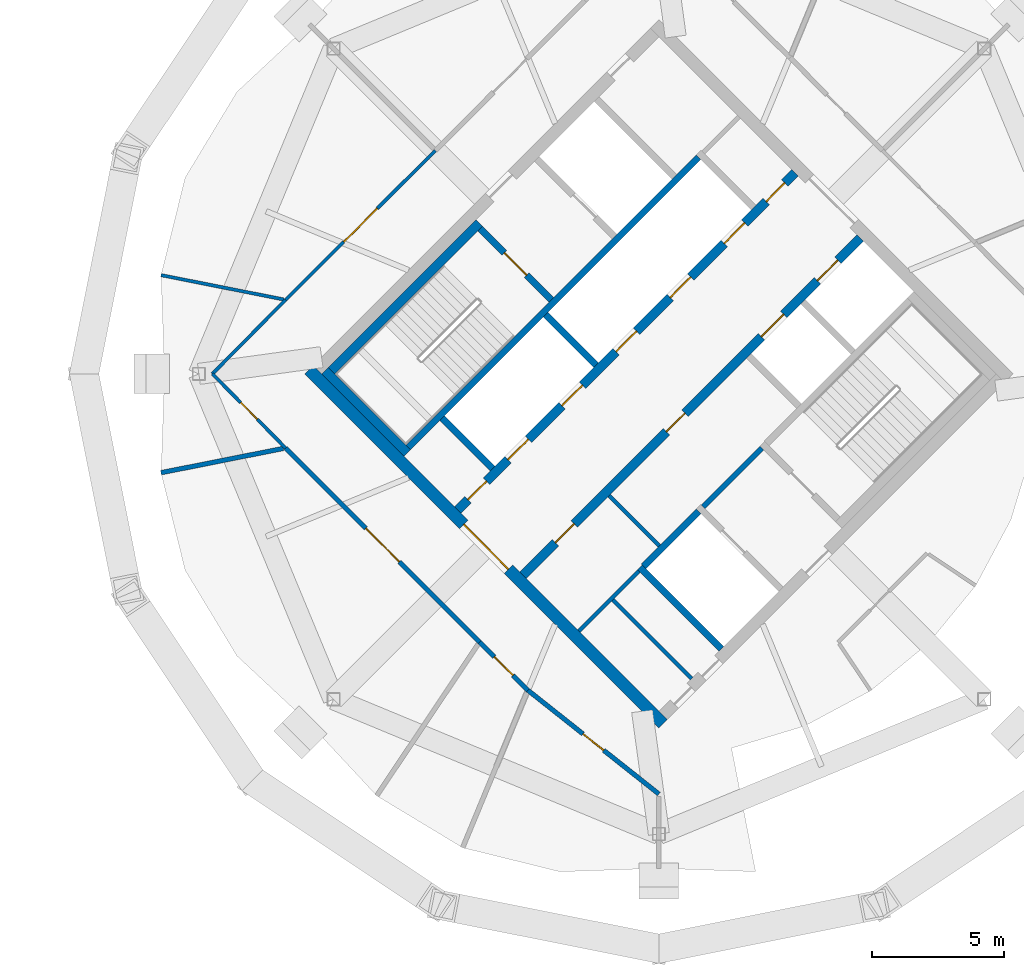
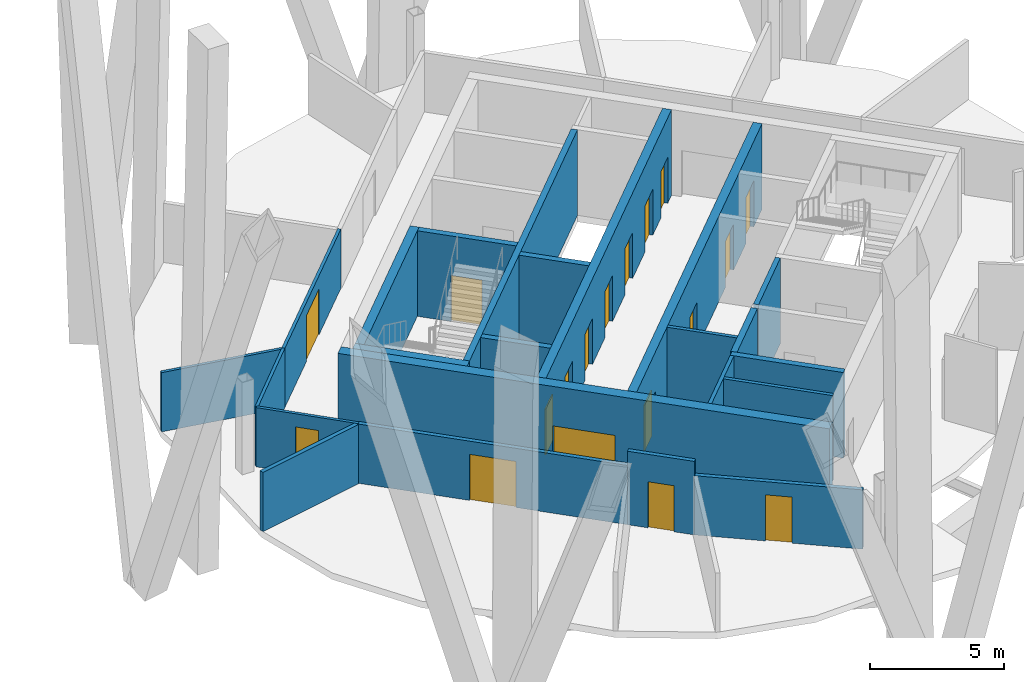
# One storey, part 7 of 11: 23 walls, 18 doors, 18 openings.
"""IFC4 building model written with IfcOpenShell, lengths in metres."""

from ifc_helpers import new_model, si_unit, direction, frame, frame_2d, origin, place, context, subcontext, project, spatial, rectangle, extrude, material, layer, layer_set, type_object, element, fill, save


model = new_model("IFC4")

# Units and contexts
model_context = context("Model", 3, precision=1e-05, world=origin(), true_north=direction((0.0, 1.0)))
body_context = subcontext(model_context, "Body", "Model", "MODEL_VIEW")
ifc_project = project(units=[si_unit("LENGTHUNIT", "METRE"), si_unit("AREAUNIT", "SQUARE_METRE"), si_unit("VOLUMEUNIT", "CUBIC_METRE"), si_unit("PLANEANGLEUNIT", "RADIAN"), si_unit("MASSUNIT", "GRAM", prefix="KILO")], contexts=[model_context])

# Site, building, storey
site_placement = place(None, origin())
site = spatial("IfcSite", under=ifc_project, at=site_placement, CompositionType="ELEMENT")
building_placement = place(site_placement, origin())
building = spatial("IfcBuilding", under=site, at=building_placement, Name="Ogive Gate Towers", CompositionType="ELEMENT")
storey_placement = place(building_placement, frame((0.0, 0.0, 273.0)))
storey = spatial("IfcBuildingStorey", under=building, at=storey_placement, Name="L64", CompositionType="ELEMENT", Elevation=273.0)

# Wall
ifc_material_1 = material(Name="Gypsum board acoustic partition")
ifc_layer_1 = layer(ifc_material_1, 0.175048828125)
ifc_layer_set_1 = layer_set([ifc_layer_1], Name="Acoustic partition 175")
wall_type_1 = type_object("IfcWallType", Name="Acoustic partition 175", PredefinedType="PARTITIONING", material=ifc_layer_set_1)
wall_1_placement = place(storey_placement, frame((17.10888671875, -3.748291015625, 0.0), z_axis=(0.0, 0.0, 1.0), x_axis=(0.980875271951, 0.194637357346, 0.0)))
element("IfcWall", 1, at=wall_1_placement, inside=storey, type_object=wall_type_1, Name="Partition T2-L64-007", PredefinedType="PARTITIONING", context=body_context, shape_type="SweptSolid", body=[
    extrude(rectangle(XDim=4.7314453125, YDim=0.175048828125, at=frame_2d((2.36572265625, 0.0))), origin(), (0.0, 0.0, 1.0), 2.699951171875),
])

# Wall, opening, door
wall_2_placement = place(storey_placement, frame((36.0, -15.940185546875, 0.0), z_axis=(0.0, 0.0, 1.0), x_axis=(-0.78387172436, 0.620922796932, 0.0)))
wall_2 = element("IfcWall", 2, at=wall_2_placement, inside=storey, type_object=wall_type_1, Name="Partition T2-L64-015", PredefinedType="PARTITIONING", context=body_context, shape_type="SweptSolid", body=[
    extrude(rectangle(XDim=6.342041015625, YDim=0.175048828125, at=frame_2d((3.1708984375, 0.0))), origin(), (0.0, 0.0, 1.0), 2.699951171875),
])
opening_1_placement = place(wall_2_placement, frame((2.6708984375, 0.0, 0.0)))
opening_1 = element("IfcOpeningElement", 3, at=opening_1_placement, cuts=wall_2, Name="Opening T2-L64-D02", PredefinedType="OPENING", context=body_context, shape_type="SweptSolid", body=[
    extrude(rectangle(XDim=1.0, YDim=2.10009765625, at=frame_2d((0.5, 1.050048828125))), frame((0.0, 0.09765625, 0.0), z_axis=(0.0, -1.0, 0.0), x_axis=(1.0, 0.0, 0.0)), (0.0, 0.0, 1.0), 0.195068359375),
])
ifc_material_2 = material(Name="Timber door", Category="wood")
door_type_1 = type_object("IfcDoorType", Name="Door 1000", OperationType="NOTDEFINED", PredefinedType="DOOR", material=ifc_material_2)
door_1_placement = place(opening_1_placement, origin())
door_1 = element("IfcDoor", 4, at=door_1_placement, inside=storey, type_object=door_type_1, Name="Door T2-L64-D02", OperationType="SINGLE_SWING_LEFT", OverallHeight=2.10009765625, OverallWidth=1.0, PredefinedType="DOOR", context=body_context, shape_type="SweptSolid", body=[
    extrude(rectangle(XDim=1.0, YDim=2.10009765625, at=frame_2d((0.5, 1.050048828125))), frame((0.0, 0.02490234375, 0.0), z_axis=(0.0, -1.0, 0.0), x_axis=(1.0, 0.0, 0.0)), (0.0, 0.0, 1.0), 0.050048828125),
])
fill(opening_1, door_1)

wall_3_placement = place(storey_placement, frame((31.028564453125, -12.002197265625, 0.0), z_axis=(0.0, 0.0, 1.0), x_axis=(-0.708284387202, 0.705927210727, 0.0)))
wall_3 = element("IfcWall", 5, at=wall_3_placement, inside=storey, type_object=wall_type_1, Name="Partition T2-L64-016", PredefinedType="PARTITIONING", context=body_context, shape_type="SweptSolid", body=[
    extrude(rectangle(XDim=2.58935546875, YDim=0.175048828125, at=frame_2d((1.294677734375, 0.0))), origin(), (0.0, 0.0, 1.0), 3.35009765625),
])
opening_2_placement = place(wall_3_placement, frame((0.794921875, 0.0, 0.0)))
opening_2 = element("IfcOpeningElement", 6, at=opening_2_placement, cuts=wall_3, Name="Opening T2-L64-D03", PredefinedType="OPENING", context=body_context, shape_type="SweptSolid", body=[
    extrude(rectangle(XDim=1.0, YDim=2.10009765625, at=frame_2d((0.5, 1.050048828125))), frame((0.0, 0.09765625, 0.0), z_axis=(0.0, -1.0, 0.0), x_axis=(1.0, 0.0, 0.0)), (0.0, 0.0, 1.0), 0.195068359375),
])
door_2_placement = place(opening_2_placement, origin())
door_2 = element("IfcDoor", 7, at=door_2_placement, inside=storey, type_object=door_type_1, Name="Door T2-L64-D03", OperationType="SINGLE_SWING_RIGHT", OverallHeight=2.10009765625, OverallWidth=1.0, PredefinedType="DOOR", context=body_context, shape_type="SweptSolid", body=[
    extrude(rectangle(XDim=1.0, YDim=2.10009765625, at=frame_2d((0.5, 1.050048828125))), frame((0.0, 0.02490234375, 0.0), z_axis=(0.0, -1.0, 0.0), x_axis=(1.0, 0.0, 0.0)), (0.0, 0.0, 1.0), 0.050048828125),
])
fill(opening_2, door_2)

wall_4_placement = place(storey_placement, frame((29.194580078125, -10.17431640625, 0.0), z_axis=(0.0, 0.0, 1.0), x_axis=(-0.706860502653, 0.707352973974, 0.0)))
wall_4 = element("IfcWall", 8, at=wall_4_placement, inside=storey, type_object=wall_type_1, Name="Partition T2-L64-017", PredefinedType="PARTITIONING", context=body_context, shape_type="SweptSolid", body=[
    extrude(rectangle(XDim=10.41064453125, YDim=0.175048828125, at=frame_2d((5.205322265625, 0.0))), origin(), (0.0, 0.0, 1.0), 2.699951171875),
])
opening_3_placement = place(wall_4_placement, frame((4.304931640625, 0.0, 0.0)))
opening_3 = element("IfcOpeningElement", 9, at=opening_3_placement, cuts=wall_4, Name="Opening T2-L64-D04", PredefinedType="OPENING", context=body_context, shape_type="SweptSolid", body=[
    extrude(rectangle(XDim=1.800048828125, YDim=2.10009765625, at=frame_2d((0.89990234375, 1.050048828125))), frame((0.0, 0.09765625, 0.0), z_axis=(0.0, -1.0, 0.0), x_axis=(1.0, 0.0, 0.0)), (0.0, 0.0, 1.0), 0.195068359375),
])
door_type_2 = type_object("IfcDoorType", Name="Door pair 1800", OperationType="NOTDEFINED", PredefinedType="DOOR", material=ifc_material_2)
door_3_placement = place(opening_3_placement, origin())
door_3 = element("IfcDoor", 10, at=door_3_placement, inside=storey, type_object=door_type_2, Name="Door T2-L64-D04", OperationType="DOUBLE_DOOR_DOUBLE_SWING", OverallHeight=2.10009765625, OverallWidth=1.800048828125, PredefinedType="DOOR", context=body_context, shape_type="SweptSolid", body=[
    extrude(rectangle(XDim=1.800048828125, YDim=2.10009765625, at=frame_2d((0.89990234375, 1.050048828125))), frame((0.0, 0.02490234375, 0.0), z_axis=(0.0, -1.0, 0.0), x_axis=(1.0, 0.0, 0.0)), (0.0, 0.0, 1.0), 0.050048828125),
])
fill(opening_3, door_3)

# Wall
ifc_material_3 = material(Name="Masonry blockwork", Category="masonry")
ifc_layer_2 = layer(ifc_material_3, 0.199951171875)
ifc_layer_set_2 = layer_set([ifc_layer_2], Name="Blockwork wall 200 mm")
wall_type_2 = type_object("IfcWallType", Name="Blockwork wall 200 mm", PredefinedType="PARTITIONING", material=ifc_layer_set_2)
wall_5_placement = place(storey_placement, frame((37.679443359375, -5.0380859375, 0.0), z_axis=(0.0, 0.0, 1.0), x_axis=(0.707106781187, 0.707106781187, 0.0)))
element("IfcWall", 11, at=wall_5_placement, inside=storey, type_object=wall_type_2, Name="T2 L64 Blockwork wall 200 mm", PredefinedType="PARTITIONING", context=body_context, shape_type="SweptSolid", body=[
    extrude(rectangle(XDim=3.14990234375, YDim=0.199951171875, at=frame_2d((1.574951171875, 0.0))), origin(), (0.0, 0.0, 1.0), 3.89990234375),
])

# Wall, opening, door
ifc_material_4 = material(Name="Concrete C60/75", Category="concrete")
ifc_layer_3 = layer(ifc_material_4, 0.449951171875)
ifc_layer_set_3 = layer_set([ifc_layer_3], Name="Core wall 450 mm")
wall_type_3 = type_object("IfcWallType", Name="Core wall 450 mm", PredefinedType="SHEAR", material=ifc_layer_set_3)
wall_6_placement = place(storey_placement, frame((36.1591796875, -13.27587890625, 0.0), z_axis=(0.0, 0.0, 1.0), x_axis=(-0.707106781187, 0.707106781187, 0.0)))
wall_6 = element("IfcWall", 12, at=wall_6_placement, inside=storey, type_object=wall_type_3, Name="T2 L64 Core wall 450 mm", PredefinedType="SHEAR", context=body_context, shape_type="SweptSolid", body=[
    extrude(rectangle(XDim=19.0, YDim=0.449951171875, at=frame_2d((9.5, 0.0))), origin(), (0.0, 0.0, 1.0), 3.89990234375),
])
opening_4_placement = place(wall_6_placement, frame((8.300048828125, 0.0, 0.0)))
opening_4 = element("IfcOpeningElement", 13, at=opening_4_placement, cuts=wall_6, Name="Opening KD-T2-L64-01", PredefinedType="OPENING", context=body_context, shape_type="SweptSolid", body=[
    extrude(rectangle(XDim=2.39990234375, YDim=2.10009765625, at=frame_2d((1.199951171875, 1.050048828125))), frame((0.0, 0.23486328125, 0.0), z_axis=(0.0, -1.0, 0.0), x_axis=(1.0, 0.0, 0.0)), (0.0, 0.0, 1.0), 0.469970703125),
])
ifc_material_5 = material(Name="Steel fire door", Category="steel")
door_type_3 = type_object("IfcDoorType", Name="Core double door FD60S 2400 x 2100", OperationType="DOUBLE_DOOR_SINGLE_SWING", PredefinedType="DOOR", material=ifc_material_5)
door_4_placement = place(opening_4_placement, origin())
door_4 = element("IfcDoor", 14, at=door_4_placement, inside=storey, type_object=door_type_3, Name="T2 L64 Core door double", OperationType="DOUBLE_DOOR_SINGLE_SWING", OverallHeight=2.10009765625, OverallWidth=2.39990234375, PredefinedType="DOOR", context=body_context, shape_type="SweptSolid", body=[
    extrude(rectangle(XDim=2.39990234375, YDim=2.10009765625, at=frame_2d((1.199951171875, 1.050048828125))), frame((0.0, 0.02490234375, 0.0), z_axis=(0.0, -1.0, 0.0), x_axis=(1.0, 0.0, 0.0)), (0.0, 0.0, 1.0), 0.050048828125),
])
fill(opening_4, door_4)

# Wall
ifc_material_6 = material(Name="Gypsum board partition")
ifc_layer_4 = layer(ifc_material_6, 0.125)
ifc_layer_set_4 = layer_set([ifc_layer_4], Name="Partition 125")
wall_type_4 = type_object("IfcWallType", Name="Partition 125", PredefinedType="PARTITIONING", material=ifc_layer_set_4)
wall_7_placement = place(storey_placement, frame((17.10888671875, 3.748291015625, 0.0), z_axis=(0.0, 0.0, 1.0), x_axis=(0.98087568023, -0.194635299813, 0.0)))
element("IfcWall", 15, at=wall_7_placement, inside=storey, type_object=wall_type_4, Name="Partition T2-L64-006", PredefinedType="PARTITIONING", context=body_context, shape_type="SweptSolid", body=[
    extrude(rectangle(XDim=4.756591796875, YDim=0.125, at=frame_2d((2.37841796875, 0.0))), origin(), (0.0, 0.0, 1.0), 2.699951171875),
])

# Wall, opening, door
wall_8_placement = place(storey_placement, frame((21.835693359375, -2.810302734375, 0.0), z_axis=(0.0, 0.0, 1.0), x_axis=(-0.703017411884, 0.711172636277, 0.0)))
wall_8 = element("IfcWall", 16, at=wall_8_placement, inside=storey, type_object=wall_type_4, Name="Partition T2-L64-018", PredefinedType="PARTITIONING", context=body_context, shape_type="SweptSolid", body=[
    extrude(rectangle(XDim=3.95166015625, YDim=0.125, at=frame_2d((1.975830078125, 0.0))), origin(), (0.0, 0.0, 1.0), 2.699951171875),
])
opening_5_placement = place(wall_8_placement, frame((1.52587890625, 0.0, 0.0)))
opening_5 = element("IfcOpeningElement", 17, at=opening_5_placement, cuts=wall_8, Name="Opening T2-L64-D05", PredefinedType="OPENING", context=body_context, shape_type="SweptSolid", body=[
    extrude(rectangle(XDim=0.89990234375, YDim=2.10009765625, at=frame_2d((0.449951171875, 1.050048828125))), frame((0.0, 0.072509765625, 0.0), z_axis=(0.0, -1.0, 0.0), x_axis=(1.0, 0.0, 0.0)), (0.0, 0.0, 1.0), 0.14501953125),
])
door_type_4 = type_object("IfcDoorType", Name="Door 900", OperationType="NOTDEFINED", PredefinedType="DOOR", material=ifc_material_2)
door_5_placement = place(opening_5_placement, origin())
door_5 = element("IfcDoor", 18, at=door_5_placement, inside=storey, type_object=door_type_4, Name="Door T2-L64-D05", OperationType="SINGLE_SWING_LEFT", OverallHeight=2.10009765625, OverallWidth=0.89990234375, PredefinedType="DOOR", context=body_context, shape_type="SweptSolid", body=[
    extrude(rectangle(XDim=0.89990234375, YDim=2.10009765625, at=frame_2d((0.449951171875, 1.050048828125))), frame((0.0, 0.02490234375, 0.0), z_axis=(0.0, -1.0, 0.0), x_axis=(1.0, 0.0, 0.0)), (0.0, 0.0, 1.0), 0.050048828125),
])
fill(opening_5, door_5)

# Wall
wall_9_placement = place(storey_placement, frame((19.0576171875, 0.0, 0.0), z_axis=(0.0, 0.0, 1.0), x_axis=(0.703017411884, 0.711172636277, 0.0)))
element("IfcWall", 19, at=wall_9_placement, inside=storey, type_object=wall_type_4, Name="Partition T2-L64-019", PredefinedType="PARTITIONING", context=body_context, shape_type="SweptSolid", body=[
    extrude(rectangle(XDim=3.95166015625, YDim=0.125, at=frame_2d((1.975830078125, 0.0))), origin(), (0.0, 0.0, 1.0), 2.699951171875),
])

# Wall, opening, door
wall_10_placement = place(storey_placement, frame((21.835693359375, 2.810302734375, 0.0), z_axis=(0.0, 0.0, 1.0), x_axis=(0.708231027635, 0.705980744422, 0.0)))
wall_10 = element("IfcWall", 20, at=wall_10_placement, inside=storey, type_object=wall_type_4, Name="Partition T2-L64-020", PredefinedType="PARTITIONING", context=body_context, shape_type="SweptSolid", body=[
    extrude(rectangle(XDim=8.028564453125, YDim=0.125, at=frame_2d((4.01416015625, 0.0))), origin(), (0.0, 0.0, 1.0), 2.699951171875),
])
opening_6_placement = place(wall_10_placement, frame((3.114013671875, 0.0, 0.0)))
opening_6 = element("IfcOpeningElement", 21, at=opening_6_placement, cuts=wall_10, Name="Opening T2-L64-D06", PredefinedType="OPENING", context=body_context, shape_type="SweptSolid", body=[
    extrude(rectangle(XDim=1.800048828125, YDim=2.10009765625, at=frame_2d((0.89990234375, 1.050048828125))), frame((0.0, 0.072509765625, 0.0), z_axis=(0.0, -1.0, 0.0), x_axis=(1.0, 0.0, 0.0)), (0.0, 0.0, 1.0), 0.14501953125),
])
door_6_placement = place(opening_6_placement, origin())
door_6 = element("IfcDoor", 22, at=door_6_placement, inside=storey, type_object=door_type_2, Name="Door T2-L64-D06", OperationType="DOUBLE_DOOR_DOUBLE_SWING", OverallHeight=2.10009765625, OverallWidth=1.800048828125, PredefinedType="DOOR", context=body_context, shape_type="SweptSolid", body=[
    extrude(rectangle(XDim=1.800048828125, YDim=2.10009765625, at=frame_2d((0.89990234375, 1.050048828125))), frame((0.0, 0.02490234375, 0.0), z_axis=(0.0, -1.0, 0.0), x_axis=(1.0, 0.0, 0.0)), (0.0, 0.0, 1.0), 0.050048828125),
])
fill(opening_6, door_6)

# Walls
ifc_layer_5 = layer(ifc_material_6, 0.14990234375)
ifc_layer_set_5 = layer_set([ifc_layer_5], Name="Room partition 150 mm")
wall_type_5 = type_object("IfcWallType", Name="Room partition 150 mm", PredefinedType="PARTITIONING", material=ifc_layer_set_5)
wall_11_placement = place(storey_placement, frame((32.95947265625, -9.758056640625, 0.0), z_axis=(0.0, 0.0, 1.0), x_axis=(0.707144631829, 0.707068928518, 0.0)))
element("IfcWall", 23, at=wall_11_placement, inside=storey, type_object=wall_type_5, Name="T2 L64 Room partition 150 mm", PredefinedType="PARTITIONING", context=body_context, shape_type="SweptSolid", body=[
    extrude(rectangle(XDim=3.224853515625, YDim=0.14990234375, at=frame_2d((1.6123046875, 0.0))), origin(), (0.0, 0.0, 1.0), 3.89990234375),
])
wall_12_placement = place(storey_placement, frame((37.2373046875, -11.561279296875, 0.0), z_axis=(0.0, 0.0, 1.0), x_axis=(-0.707077887253, 0.707135673939, 0.0)))
element("IfcWall", 24, at=wall_12_placement, inside=storey, type_object=wall_type_5, Name="T2 L64 Room partition 150 mm", PredefinedType="PARTITIONING", context=body_context, shape_type="SweptSolid", body=[
    extrude(rectangle(XDim=4.224853515625, YDim=0.14990234375, at=frame_2d((2.1123046875, 0.0))), origin(), (0.0, 0.0, 1.0), 3.89990234375),
])
wall_13_placement = place(storey_placement, frame((36.017578125, -6.523193359375, 0.0), z_axis=(0.0, 0.0, 1.0), x_axis=(-0.707106781187, 0.707106781187, 0.0)))
element("IfcWall", 25, at=wall_13_placement, inside=storey, type_object=wall_type_5, Name="T2 L64 Room partition 150 mm", PredefinedType="PARTITIONING", context=body_context, shape_type="SweptSolid", body=[
    extrude(rectangle(XDim=2.699951171875, YDim=0.14990234375, at=frame_2d((1.35009765625, 0.0))), origin(), (0.0, 0.0, 1.0), 3.89990234375),
])
ifc_layer_6 = layer(ifc_material_4, 0.25)
ifc_layer_set_6 = layer_set([ifc_layer_6], Name="Shaft wall 250 mm")
wall_type_6 = type_object("IfcWallType", Name="Shaft wall 250 mm", PredefinedType="SHEAR", material=ifc_layer_set_6)
wall_14_placement = place(storey_placement, frame((35.41650390625, -7.30078125, 0.0), z_axis=(0.0, 0.0, 1.0), x_axis=(0.707148157867, 0.707065402085, 0.0)))
element("IfcWall", 26, at=wall_14_placement, inside=storey, type_object=wall_type_6, Name="T2 L64 Shaft wall 250 mm", PredefinedType="SHEAR", context=body_context, shape_type="SweptSolid", body=[
    extrude(rectangle(XDim=2.9501953125, YDim=0.25, at=frame_2d((1.47509765625, 0.0))), origin(), (0.0, 0.0, 1.0), 3.89990234375),
])
wall_15_placement = place(storey_placement, frame((26.489501953125, -2.793212890625, 0.0), z_axis=(0.0, 0.0, 1.0), x_axis=(0.707098943647, 0.70711461864, 0.0)))
element("IfcWall", 27, at=wall_15_placement, inside=storey, type_object=wall_type_6, Name="T2 L64 Shaft wall 250 mm", PredefinedType="SHEAR", context=body_context, shape_type="SweptSolid", body=[
    extrude(rectangle(XDim=15.5751953125, YDim=0.25, at=frame_2d((7.78759765625, 0.0))), origin(), (0.0, 0.0, 1.0), 3.89990234375),
])
wall_16_placement = place(storey_placement, frame((29.689208984375, -3.588623046875, 0.0), z_axis=(0.0, 0.0, 1.0), x_axis=(-0.707151988282, 0.707061571201, 0.0)))
element("IfcWall", 28, at=wall_16_placement, inside=storey, type_object=wall_type_6, Name="T2 L64 Shaft wall 250 mm", PredefinedType="SHEAR", context=body_context, shape_type="SweptSolid", body=[
    extrude(rectangle(XDim=2.7001953125, YDim=0.25, at=frame_2d((1.35009765625, 0.0))), origin(), (0.0, 0.0, 1.0), 3.89990234375),
])
wall_17_placement = place(storey_placement, frame((38.368896484375, -10.4296875, 0.0), z_axis=(0.0, 0.0, 1.0), x_axis=(-0.707134682099, 0.707078879173, 0.0)))
element("IfcWall", 29, at=wall_17_placement, inside=storey, type_object=wall_type_6, Name="T2 L64 Shaft wall 250 mm", PredefinedType="SHEAR", context=body_context, shape_type="SweptSolid", body=[
    extrude(rectangle(XDim=4.375, YDim=0.25, at=frame_2d((2.1875, 0.0))), origin(), (0.0, 0.0, 1.0), 3.89990234375),
])
wall_18_placement = place(storey_placement, frame((33.613525390625, 0.3359375, 0.0), z_axis=(0.0, 0.0, 1.0), x_axis=(-0.707106781187, 0.707106781187, 0.0)))
element("IfcWall", 30, at=wall_18_placement, inside=storey, type_object=wall_type_6, Name="T2 L64 Shaft wall 250 mm", PredefinedType="SHEAR", context=body_context, shape_type="SweptSolid", body=[
    extrude(rectangle(XDim=2.699951171875, YDim=0.25, at=frame_2d((1.35009765625, 0.0))), origin(), (0.0, 0.0, 1.0), 3.89990234375),
])

# Wall, opening, door
wall_19_placement = place(storey_placement, frame((31.91650390625, 2.810791015625, 0.0), z_axis=(0.0, 0.0, 1.0), x_axis=(-0.707106781187, 0.707106781187, 0.0)))
wall_19 = element("IfcWall", 31, at=wall_19_placement, inside=storey, type_object=wall_type_6, Name="T2 L64 Shaft wall 250 mm", PredefinedType="SHEAR", context=body_context, shape_type="SweptSolid", body=[
    extrude(rectangle(XDim=3.824951171875, YDim=0.25, at=frame_2d((1.91259765625, 0.0))), origin(), (0.0, 0.0, 1.0), 3.89990234375),
])
opening_7_placement = place(wall_19_placement, frame((1.324951171875, 0.0, 0.0)))
opening_7 = element("IfcOpeningElement", 32, at=opening_7_placement, cuts=wall_19, Name="Opening KD-T2-L64-16", PredefinedType="OPENING", context=body_context, shape_type="SweptSolid", body=[
    extrude(rectangle(XDim=1.199951171875, YDim=2.10009765625, at=frame_2d((0.60009765625, 1.050048828125))), frame((0.0, 0.135009765625, 0.0), z_axis=(0.0, -1.0, 0.0), x_axis=(1.0, 0.0, 0.0)), (0.0, 0.0, 1.0), 0.27001953125),
])
door_type_5 = type_object("IfcDoorType", Name="Core door FD60S 1200 x 2100", OperationType="NOTDEFINED", PredefinedType="DOOR", material=ifc_material_5)
door_7_placement = place(opening_7_placement, origin())
door_7 = element("IfcDoor", 33, at=door_7_placement, inside=storey, type_object=door_type_5, Name="T2 L64 Stair door", OperationType="SINGLE_SWING_LEFT", OverallHeight=2.10009765625, OverallWidth=1.199951171875, PredefinedType="DOOR", context=body_context, shape_type="SweptSolid", body=[
    extrude(rectangle(XDim=1.199951171875, YDim=2.10009765625, at=frame_2d((0.60009765625, 1.050048828125))), frame((0.0, 0.02490234375, 0.0), z_axis=(0.0, -1.0, 0.0), x_axis=(1.0, 0.0, 0.0)), (0.0, 0.0, 1.0), 0.050048828125),
])
fill(opening_7, door_7)

# Wall, openings, doors
ifc_layer_7 = layer(ifc_material_4, 0.35009765625)
ifc_layer_set_7 = layer_set([ifc_layer_7], Name="Spine wall 350 mm")
wall_type_7 = type_object("IfcWallType", Name="Spine wall 350 mm", PredefinedType="SHEAR", material=ifc_layer_set_7)
wall_20_placement = place(storey_placement, frame((30.838134765625, -7.63671875, 0.0), z_axis=(0.0, 0.0, 1.0), x_axis=(0.707106781187, 0.707106781187, 0.0)))
wall_20 = element("IfcWall", 34, at=wall_20_placement, inside=storey, type_object=wall_type_7, Name="T2 L64 Spine wall 350 mm", PredefinedType="SHEAR", context=body_context, shape_type="SweptSolid", body=[
    extrude(rectangle(XDim=18.099853515625, YDim=0.35009765625, at=frame_2d((9.0498046875, 0.0))), origin(), (0.0, 0.0, 1.0), 3.89990234375),
])
opening_8_placement = place(wall_20_placement, frame((12.800048828125, 0.0, 0.0)))
opening_8 = element("IfcOpeningElement", 35, at=opening_8_placement, cuts=wall_20, Name="Opening LD-T2-L64-10", PredefinedType="OPENING", context=body_context, shape_type="SweptSolid", body=[
    extrude(rectangle(XDim=1.199951171875, YDim=2.10009765625, at=frame_2d((0.60009765625, 1.050048828125))), frame((0.0, 0.18505859375, 0.0), z_axis=(0.0, -1.0, 0.0), x_axis=(1.0, 0.0, 0.0)), (0.0, 0.0, 1.0), 0.3701171875),
])
opening_9_placement = place(wall_20_placement, frame((15.800048828125, 0.0, 0.0)))
opening_9 = element("IfcOpeningElement", 36, at=opening_9_placement, cuts=wall_20, Name="Opening LD-T2-L64-11", PredefinedType="OPENING", context=body_context, shape_type="SweptSolid", body=[
    extrude(rectangle(XDim=1.10009765625, YDim=2.10009765625, at=frame_2d((0.550048828125, 1.050048828125))), frame((0.0, 0.18505859375, 0.0), z_axis=(0.0, -1.0, 0.0), x_axis=(1.0, 0.0, 0.0)), (0.0, 0.0, 1.0), 0.3701171875),
])
opening_10_placement = place(wall_20_placement, frame((1.75, 0.0, 0.0)))
opening_10 = element("IfcOpeningElement", 37, at=opening_10_placement, cuts=wall_20, Name="Opening KD-T2-L64-14", PredefinedType="OPENING", context=body_context, shape_type="SweptSolid", body=[
    extrude(rectangle(XDim=1.0, YDim=2.10009765625, at=frame_2d((0.5, 1.050048828125))), frame((0.0, 0.18505859375, 0.0), z_axis=(0.0, -1.0, 0.0), x_axis=(1.0, 0.0, 0.0)), (0.0, 0.0, 1.0), 0.3701171875),
])
opening_11_placement = place(wall_20_placement, frame((7.699951171875, 0.0, 0.0)))
opening_11 = element("IfcOpeningElement", 38, at=opening_11_placement, cuts=wall_20, Name="Opening KD-T2-L64-15", PredefinedType="OPENING", context=body_context, shape_type="SweptSolid", body=[
    extrude(rectangle(XDim=1.0, YDim=2.10009765625, at=frame_2d((0.5, 1.050048828125))), frame((0.0, 0.18505859375, 0.0), z_axis=(0.0, -1.0, 0.0), x_axis=(1.0, 0.0, 0.0)), (0.0, 0.0, 1.0), 0.3701171875),
])
door_type_6 = type_object("IfcDoorType", Name="Core door FD60S 1000 x 2100", OperationType="NOTDEFINED", PredefinedType="DOOR", material=ifc_material_5)
door_8_placement = place(opening_10_placement, origin())
door_8 = element("IfcDoor", 39, at=door_8_placement, inside=storey, type_object=door_type_6, Name="T2 L64 Core door", OperationType="SINGLE_SWING_LEFT", OverallHeight=2.10009765625, OverallWidth=1.0, PredefinedType="DOOR", context=body_context, shape_type="SweptSolid", body=[
    extrude(rectangle(XDim=1.0, YDim=2.10009765625, at=frame_2d((0.5, 1.050048828125))), frame((0.0, 0.02490234375, 0.0), z_axis=(0.0, -1.0, 0.0), x_axis=(1.0, 0.0, 0.0)), (0.0, 0.0, 1.0), 0.050048828125),
])
fill(opening_10, door_8)
door_9_placement = place(opening_11_placement, origin())
door_9 = element("IfcDoor", 40, at=door_9_placement, inside=storey, type_object=door_type_6, Name="T2 L64 Core door", OperationType="SINGLE_SWING_RIGHT", OverallHeight=2.10009765625, OverallWidth=1.0, PredefinedType="DOOR", context=body_context, shape_type="SweptSolid", body=[
    extrude(rectangle(XDim=1.0, YDim=2.10009765625, at=frame_2d((0.5, 1.050048828125))), frame((0.0, 0.02490234375, 0.0), z_axis=(0.0, -1.0, 0.0), x_axis=(1.0, 0.0, 0.0)), (0.0, 0.0, 1.0), 0.050048828125),
])
fill(opening_11, door_9)
ifc_material_7 = material(Name="Stainless steel landing door", Category="steel")
door_type_7 = type_object("IfcDoorType", Name="Landing door 1100 x 2100", OperationType="SLIDING_TO_LEFT", PredefinedType="DOOR", material=ifc_material_7)
door_10_placement = place(opening_9_placement, origin())
door_10 = element("IfcDoor", 41, at=door_10_placement, inside=storey, type_object=door_type_7, Name="T2 L64 Lift landing door B6", OperationType="SLIDING_TO_LEFT", OverallHeight=2.10009765625, OverallWidth=1.10009765625, PredefinedType="DOOR", context=body_context, shape_type="SweptSolid", body=[
    extrude(rectangle(XDim=1.10009765625, YDim=2.10009765625, at=frame_2d((0.550048828125, 1.050048828125))), frame((0.0, 0.02490234375, 0.0), z_axis=(0.0, -1.0, 0.0), x_axis=(1.0, 0.0, 0.0)), (0.0, 0.0, 1.0), 0.050048828125),
])
fill(opening_9, door_10)
door_type_8 = type_object("IfcDoorType", Name="Landing door 1200 x 2100", OperationType="SLIDING_TO_LEFT", PredefinedType="DOOR", material=ifc_material_7)
door_11_placement = place(opening_8_placement, origin())
door_11 = element("IfcDoor", 42, at=door_11_placement, inside=storey, type_object=door_type_8, Name="T2 L64 Lift landing door SVC", OperationType="SLIDING_TO_LEFT", OverallHeight=2.10009765625, OverallWidth=1.199951171875, PredefinedType="DOOR", context=body_context, shape_type="SweptSolid", body=[
    extrude(rectangle(XDim=1.199951171875, YDim=2.10009765625, at=frame_2d((0.60009765625, 1.050048828125))), frame((0.0, 0.02490234375, 0.0), z_axis=(0.0, -1.0, 0.0), x_axis=(1.0, 0.0, 0.0)), (0.0, 0.0, 1.0), 0.050048828125),
])
fill(opening_8, door_11)

wall_21_placement = place(storey_placement, frame((28.36328125, -5.161865234375, 0.0), z_axis=(0.0, 0.0, 1.0), x_axis=(0.707106781187, 0.707106781187, 0.0)))
wall_21 = element("IfcWall", 43, at=wall_21_placement, inside=storey, type_object=wall_type_7, Name="T2 L64 Spine wall 350 mm", PredefinedType="SHEAR", context=body_context, shape_type="SweptSolid", body=[
    extrude(rectangle(XDim=18.099853515625, YDim=0.35009765625, at=frame_2d((9.0498046875, 0.0))), origin(), (0.0, 0.0, 1.0), 3.89990234375),
])
opening_12_placement = place(wall_21_placement, frame((0.550048828125, 0.0, 0.0)))
opening_12 = element("IfcOpeningElement", 44, at=opening_12_placement, cuts=wall_21, Name="Opening KD-T2-L64-03", PredefinedType="OPENING", context=body_context, shape_type="SweptSolid", body=[
    extrude(rectangle(XDim=1.0, YDim=2.10009765625, at=frame_2d((0.5, 1.050048828125))), frame((0.0, 0.18505859375, 0.0), z_axis=(0.0, -1.0, 0.0), x_axis=(1.0, 0.0, 0.0)), (0.0, 0.0, 1.0), 0.3701171875),
])
opening_13_placement = place(wall_21_placement, frame((2.699951171875, 0.0, 0.0)))
opening_13 = element("IfcOpeningElement", 45, at=opening_13_placement, cuts=wall_21, Name="Opening LD-T2-L64-04", PredefinedType="OPENING", context=body_context, shape_type="SweptSolid", body=[
    extrude(rectangle(XDim=1.10009765625, YDim=2.10009765625, at=frame_2d((0.550048828125, 1.050048828125))), frame((0.0, 0.18505859375, 0.0), z_axis=(0.0, -1.0, 0.0), x_axis=(1.0, 0.0, 0.0)), (0.0, 0.0, 1.0), 0.3701171875),
])
opening_14_placement = place(wall_21_placement, frame((5.60009765625, 0.0, 0.0)))
opening_14 = element("IfcOpeningElement", 46, at=opening_14_placement, cuts=wall_21, Name="Opening LD-T2-L64-05", PredefinedType="OPENING", context=body_context, shape_type="SweptSolid", body=[
    extrude(rectangle(XDim=1.10009765625, YDim=2.10009765625, at=frame_2d((0.550048828125, 1.050048828125))), frame((0.0, 0.18505859375, 0.0), z_axis=(0.0, -1.0, 0.0), x_axis=(1.0, 0.0, 0.0)), (0.0, 0.0, 1.0), 0.3701171875),
])
opening_15_placement = place(wall_21_placement, frame((8.5, 0.0, 0.0)))
opening_15 = element("IfcOpeningElement", 47, at=opening_15_placement, cuts=wall_21, Name="Opening LD-T2-L64-06", PredefinedType="OPENING", context=body_context, shape_type="SweptSolid", body=[
    extrude(rectangle(XDim=1.10009765625, YDim=2.10009765625, at=frame_2d((0.550048828125, 1.050048828125))), frame((0.0, 0.18505859375, 0.0), z_axis=(0.0, -1.0, 0.0), x_axis=(1.0, 0.0, 0.0)), (0.0, 0.0, 1.0), 0.3701171875),
])
opening_16_placement = place(wall_21_placement, frame((11.39990234375, 0.0, 0.0)))
opening_16 = element("IfcOpeningElement", 48, at=opening_16_placement, cuts=wall_21, Name="Opening LD-T2-L64-07", PredefinedType="OPENING", context=body_context, shape_type="SweptSolid", body=[
    extrude(rectangle(XDim=1.10009765625, YDim=2.10009765625, at=frame_2d((0.550048828125, 1.050048828125))), frame((0.0, 0.18505859375, 0.0), z_axis=(0.0, -1.0, 0.0), x_axis=(1.0, 0.0, 0.0)), (0.0, 0.0, 1.0), 0.3701171875),
])
opening_17_placement = place(wall_21_placement, frame((14.300048828125, 0.0, 0.0)))
opening_17 = element("IfcOpeningElement", 49, at=opening_17_placement, cuts=wall_21, Name="Opening LD-T2-L64-08", PredefinedType="OPENING", context=body_context, shape_type="SweptSolid", body=[
    extrude(rectangle(XDim=1.10009765625, YDim=2.10009765625, at=frame_2d((0.550048828125, 1.050048828125))), frame((0.0, 0.18505859375, 0.0), z_axis=(0.0, -1.0, 0.0), x_axis=(1.0, 0.0, 0.0)), (0.0, 0.0, 1.0), 0.3701171875),
])
opening_18_placement = place(wall_21_placement, frame((16.550048828125, 0.0, 0.0)))
opening_18 = element("IfcOpeningElement", 50, at=opening_18_placement, cuts=wall_21, Name="Opening KD-T2-L64-09", PredefinedType="OPENING", context=body_context, shape_type="SweptSolid", body=[
    extrude(rectangle(XDim=1.0, YDim=2.10009765625, at=frame_2d((0.5, 1.050048828125))), frame((0.0, 0.18505859375, 0.0), z_axis=(0.0, -1.0, 0.0), x_axis=(1.0, 0.0, 0.0)), (0.0, 0.0, 1.0), 0.3701171875),
])
door_12_placement = place(opening_12_placement, origin())
door_12 = element("IfcDoor", 51, at=door_12_placement, inside=storey, type_object=door_type_6, Name="T2 L64 Core door", OperationType="SINGLE_SWING_RIGHT", OverallHeight=2.10009765625, OverallWidth=1.0, PredefinedType="DOOR", context=body_context, shape_type="SweptSolid", body=[
    extrude(rectangle(XDim=1.0, YDim=2.10009765625, at=frame_2d((0.5, 1.050048828125))), frame((0.0, 0.02490234375, 0.0), z_axis=(0.0, -1.0, 0.0), x_axis=(1.0, 0.0, 0.0)), (0.0, 0.0, 1.0), 0.050048828125),
])
fill(opening_12, door_12)
door_13_placement = place(opening_18_placement, origin())
door_13 = element("IfcDoor", 52, at=door_13_placement, inside=storey, type_object=door_type_6, Name="T2 L64 Core door", OperationType="SINGLE_SWING_RIGHT", OverallHeight=2.10009765625, OverallWidth=1.0, PredefinedType="DOOR", context=body_context, shape_type="SweptSolid", body=[
    extrude(rectangle(XDim=1.0, YDim=2.10009765625, at=frame_2d((0.5, 1.050048828125))), frame((0.0, 0.02490234375, 0.0), z_axis=(0.0, -1.0, 0.0), x_axis=(1.0, 0.0, 0.0)), (0.0, 0.0, 1.0), 0.050048828125),
])
fill(opening_18, door_13)
door_14_placement = place(opening_13_placement, origin())
door_14 = element("IfcDoor", 53, at=door_14_placement, inside=storey, type_object=door_type_7, Name="T2 L64 Lift landing door B1", OperationType="SLIDING_TO_LEFT", OverallHeight=2.10009765625, OverallWidth=1.10009765625, PredefinedType="DOOR", context=body_context, shape_type="SweptSolid", body=[
    extrude(rectangle(XDim=1.10009765625, YDim=2.10009765625, at=frame_2d((0.550048828125, 1.050048828125))), frame((0.0, 0.02490234375, 0.0), z_axis=(0.0, -1.0, 0.0), x_axis=(1.0, 0.0, 0.0)), (0.0, 0.0, 1.0), 0.050048828125),
])
fill(opening_13, door_14)
door_15_placement = place(opening_14_placement, origin())
door_15 = element("IfcDoor", 54, at=door_15_placement, inside=storey, type_object=door_type_7, Name="T2 L64 Lift landing door B2", OperationType="SLIDING_TO_LEFT", OverallHeight=2.10009765625, OverallWidth=1.10009765625, PredefinedType="DOOR", context=body_context, shape_type="SweptSolid", body=[
    extrude(rectangle(XDim=1.10009765625, YDim=2.10009765625, at=frame_2d((0.550048828125, 1.050048828125))), frame((0.0, 0.02490234375, 0.0), z_axis=(0.0, -1.0, 0.0), x_axis=(1.0, 0.0, 0.0)), (0.0, 0.0, 1.0), 0.050048828125),
])
fill(opening_14, door_15)
door_16_placement = place(opening_15_placement, origin())
door_16 = element("IfcDoor", 55, at=door_16_placement, inside=storey, type_object=door_type_7, Name="T2 L64 Lift landing door B3", OperationType="SLIDING_TO_LEFT", OverallHeight=2.10009765625, OverallWidth=1.10009765625, PredefinedType="DOOR", context=body_context, shape_type="SweptSolid", body=[
    extrude(rectangle(XDim=1.10009765625, YDim=2.10009765625, at=frame_2d((0.550048828125, 1.050048828125))), frame((0.0, 0.02490234375, 0.0), z_axis=(0.0, -1.0, 0.0), x_axis=(1.0, 0.0, 0.0)), (0.0, 0.0, 1.0), 0.050048828125),
])
fill(opening_15, door_16)
door_17_placement = place(opening_16_placement, origin())
door_17 = element("IfcDoor", 56, at=door_17_placement, inside=storey, type_object=door_type_7, Name="T2 L64 Lift landing door B4", OperationType="SLIDING_TO_LEFT", OverallHeight=2.10009765625, OverallWidth=1.10009765625, PredefinedType="DOOR", context=body_context, shape_type="SweptSolid", body=[
    extrude(rectangle(XDim=1.10009765625, YDim=2.10009765625, at=frame_2d((0.550048828125, 1.050048828125))), frame((0.0, 0.02490234375, 0.0), z_axis=(0.0, -1.0, 0.0), x_axis=(1.0, 0.0, 0.0)), (0.0, 0.0, 1.0), 0.050048828125),
])
fill(opening_16, door_17)
door_18_placement = place(opening_17_placement, origin())
door_18 = element("IfcDoor", 57, at=door_18_placement, inside=storey, type_object=door_type_7, Name="T2 L64 Lift landing door B5", OperationType="SLIDING_TO_LEFT", OverallHeight=2.10009765625, OverallWidth=1.10009765625, PredefinedType="DOOR", context=body_context, shape_type="SweptSolid", body=[
    extrude(rectangle(XDim=1.10009765625, YDim=2.10009765625, at=frame_2d((0.550048828125, 1.050048828125))), frame((0.0, 0.02490234375, 0.0), z_axis=(0.0, -1.0, 0.0), x_axis=(1.0, 0.0, 0.0)), (0.0, 0.0, 1.0), 0.050048828125),
])
fill(opening_17, door_18)

# Walls
ifc_layer_8 = layer(ifc_material_4, 0.35009765625)
ifc_layer_set_8 = layer_set([ifc_layer_8], Name="Stair wall 350 mm")
wall_type_8 = type_object("IfcWallType", Name="Stair wall 350 mm", PredefinedType="SHEAR", material=ifc_layer_set_8)
wall_22_placement = place(storey_placement, frame((23.572509765625, 0.123779296875, 0.0), z_axis=(0.0, 0.0, 1.0), x_axis=(0.707122184046, 0.707091377991, 0.0)))
element("IfcWall", 58, at=wall_22_placement, inside=storey, type_object=wall_type_8, Name="T2 L64 Stair wall 350 mm", PredefinedType="SHEAR", context=body_context, shape_type="SweptSolid", body=[
    extrude(rectangle(XDim=7.925048828125, YDim=0.35009765625, at=frame_2d((3.96240234375, 0.0))), origin(), (0.0, 0.0, 1.0), 3.89990234375),
])
wall_23_placement = place(storey_placement, frame((26.4541015625, -3.005126953125, 0.0), z_axis=(0.0, 0.0, 1.0), x_axis=(-0.707106781187, 0.707106781187, 0.0)))
element("IfcWall", 59, at=wall_23_placement, inside=storey, type_object=wall_type_8, Name="T2 L64 Stair wall 350 mm", PredefinedType="SHEAR", context=body_context, shape_type="SweptSolid", body=[
    extrude(rectangle(XDim=4.425048828125, YDim=0.35009765625, at=frame_2d((2.21240234375, 0.0))), origin(), (0.0, 0.0, 1.0), 3.89990234375),
])

save(model, "model.ifc")
